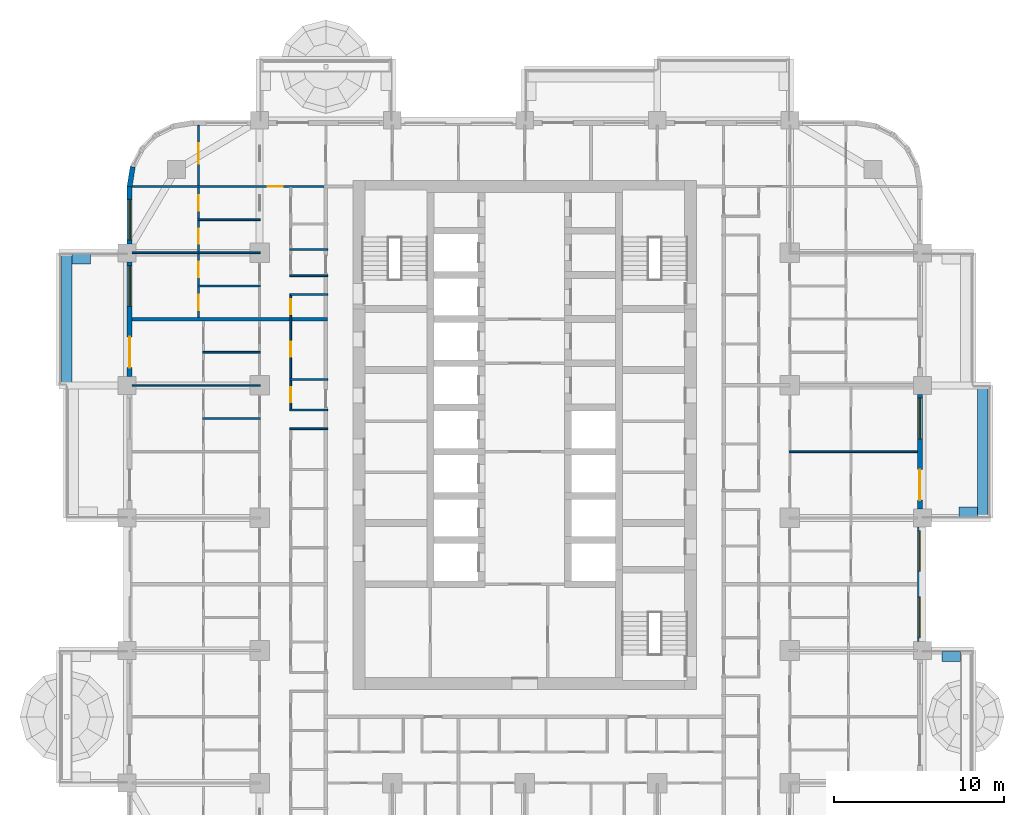
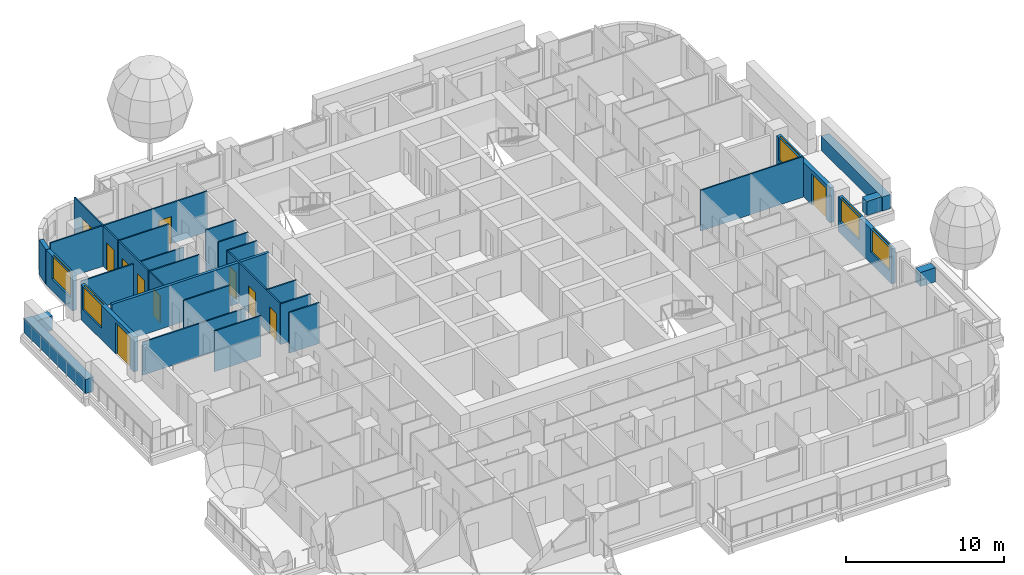
# One storey, part 10 of 19: 27 walls, 11 doors, 5 windows, 16 openings.
"""IFC4 building model written with IfcOpenShell, lengths in metres."""

from ifc_helpers import new_model, si_unit, direction, frame, frame_2d, origin, place, context, subcontext, project, spatial, rectangle, extrude, material, layer, layer_set, type_object, element, fill, save


model = new_model("IFC4")

# Units and contexts
model_context = context("Model", 3, precision=1e-05, world=origin(), true_north=direction((0.0, 1.0)))
body_context = subcontext(model_context, "Body", "Model", "MODEL_VIEW")
ifc_project = project(units=[si_unit("LENGTHUNIT", "METRE"), si_unit("AREAUNIT", "SQUARE_METRE"), si_unit("VOLUMEUNIT", "CUBIC_METRE"), si_unit("PLANEANGLEUNIT", "RADIAN"), si_unit("MASSUNIT", "GRAM", prefix="KILO")], contexts=[model_context])

# Site, building, storey
site_placement = place(None, origin())
site = spatial("IfcSite", under=ifc_project, at=site_placement, CompositionType="ELEMENT")
building_placement = place(site_placement, origin())
building = spatial("IfcBuilding", under=site, at=building_placement, Name="Ludao Terraces", CompositionType="ELEMENT")
storey_placement = place(building_placement, frame((0.0, 0.0, 36.5)))
storey = spatial("IfcBuildingStorey", under=building, at=storey_placement, Name="L09", CompositionType="ELEMENT", Elevation=36.5)

# Walls
ifc_material_1 = material(Name="Concrete C40", Category="concrete")
ifc_layer_1 = layer(ifc_material_1, 0.60009765625)
ifc_layer_set_1 = layer_set([ifc_layer_1], Name="ENV Planter trough 600")
wall_type_1 = type_object("IfcWallType", Name="ENV Planter trough 600", PredefinedType="USERDEFINED", material=ifc_layer_set_1)
wall_1_placement = place(storey_placement, frame((110.64990234375, 56.85009765625, 0.0), z_axis=(0.0, 0.0, 1.0), x_axis=(-1.0, 0.0, 0.0)))
element("IfcWall", 1, at=wall_1_placement, inside=storey, type_object=wall_type_1, Name="PL-L09-E1-SB", ObjectType="PLANTER", PredefinedType="USERDEFINED", context=body_context, shape_type="SweptSolid", body=[
    extrude(rectangle(XDim=1.099853515625, YDim=0.60009765625, at=frame_2d((0.5498046875, 0.0))), origin(), (0.0, 0.0, 1.0), 1.10009765625),
])
wall_2_placement = place(storey_placement, frame((111.949951171875, 65.0, 0.0), z_axis=(0.0, 0.0, 1.0), x_axis=(0.0, 1.0, 0.0)))
element("IfcWall", 2, at=wall_2_placement, inside=storey, type_object=wall_type_1, Name="PL-L09-E3", ObjectType="PLANTER", PredefinedType="USERDEFINED", context=body_context, shape_type="SweptSolid", body=[
    extrude(rectangle(XDim=7.800048828125, YDim=0.60009765625, at=frame_2d((3.89990234375, 0.0))), origin(), (0.0, 0.0, 1.0), 1.10009765625),
])
wall_3_placement = place(storey_placement, frame((111.64990234375, 65.35009765625, 0.0), z_axis=(0.0, 0.0, 1.0), x_axis=(-1.0, 0.0, 0.0)))
element("IfcWall", 3, at=wall_3_placement, inside=storey, type_object=wall_type_1, Name="PL-L09-E3-SA", ObjectType="PLANTER", PredefinedType="USERDEFINED", context=body_context, shape_type="SweptSolid", body=[
    extrude(rectangle(XDim=1.099853515625, YDim=0.60009765625, at=frame_2d((0.5498046875, 0.0))), origin(), (0.0, 0.0, 1.0), 1.10009765625),
])
wall_4_placement = place(storey_placement, frame((58.050048828125, 72.800048828125, 0.0), z_axis=(0.0, 0.0, 1.0), x_axis=(0.0, 1.0, 0.0)))
element("IfcWall", 4, at=wall_4_placement, inside=storey, type_object=wall_type_1, Name="PL-L09-W4", ObjectType="PLANTER", PredefinedType="USERDEFINED", context=body_context, shape_type="SweptSolid", body=[
    extrude(rectangle(XDim=7.800048828125, YDim=0.60009765625, at=frame_2d((3.89990234375, 0.0))), origin(), (0.0, 0.0, 1.0), 1.10009765625),
])
wall_5_placement = place(storey_placement, frame((58.35009765625, 80.25, 0.0), z_axis=(0.0, 0.0, 1.0), x_axis=(1.0, 0.0, 0.0)))
element("IfcWall", 5, at=wall_5_placement, inside=storey, type_object=wall_type_1, Name="PL-L09-W4-SB", ObjectType="PLANTER", PredefinedType="USERDEFINED", context=body_context, shape_type="SweptSolid", body=[
    extrude(rectangle(XDim=1.099853515625, YDim=0.60009765625, at=frame_2d((0.5498046875, 0.0))), origin(), (0.0, 0.0, 1.0), 1.10009765625),
])

# Wall, openings, windows
ifc_material_2 = material(Name="Granite cladding", Category="masonry")
ifc_layer_2 = layer(ifc_material_2, 0.0400390625, Category="stone")
ifc_material_3 = material(Name="Mineral wool")
ifc_layer_3 = layer(ifc_material_3, 0.06005859375)
ifc_layer_4 = layer(ifc_material_1, 0.199951171875, Category="concrete")
ifc_layer_set_2 = layer_set([ifc_layer_2, ifc_layer_3, ifc_layer_4], Name="ENV Stone-clad wall 300")
wall_type_2 = type_object("IfcWallType", Name="ENV Stone-clad wall 300", PredefinedType="SOLIDWALL", material=ifc_layer_set_2)
wall_6_placement = place(storey_placement, frame((108.25, 57.72509765625, 0.0), z_axis=(0.0, 0.0, 1.0), x_axis=(0.0, 1.0, 0.0)))
wall_6 = element("IfcWall", 6, at=wall_6_placement, inside=storey, type_object=wall_type_2, Name="EW-L09-E3", PredefinedType="SOLIDWALL", context=body_context, shape_type="SweptSolid", body=[
    extrude(rectangle(XDim=6.75, YDim=0.300048828125, at=frame_2d((3.375, 0.0))), origin(), (0.0, 0.0, 1.0), 2.699951171875),
])
opening_1_placement = place(wall_6_placement, frame((0.22509765625, 0.0, 0.89990234375)))
opening_1 = element("IfcOpeningElement", 7, at=opening_1_placement, cuts=wall_6, Name="Opening W1", PredefinedType="OPENING", context=body_context, shape_type="SweptSolid", body=[
    extrude(rectangle(XDim=2.39990234375, YDim=1.800048828125, at=frame_2d((1.199951171875, 0.89990234375))), frame((0.0, 0.16015625, 0.0), z_axis=(0.0, -1.0, 0.0), x_axis=(1.0, 0.0, 0.0)), (0.0, 0.0, 1.0), 0.320068359375),
])
opening_2_placement = place(wall_6_placement, frame((4.125, 0.0, 0.89990234375)))
opening_2 = element("IfcOpeningElement", 8, at=opening_2_placement, cuts=wall_6, Name="Opening W1", PredefinedType="OPENING", context=body_context, shape_type="SweptSolid", body=[
    extrude(rectangle(XDim=2.39990234375, YDim=1.800048828125, at=frame_2d((1.199951171875, 0.89990234375))), frame((0.0, 0.16015625, 0.0), z_axis=(0.0, -1.0, 0.0), x_axis=(1.0, 0.0, 0.0)), (0.0, 0.0, 1.0), 0.320068359375),
])
ifc_material_4 = material(Name="Clear glass in aluminium frame", Category="aluminium")
ifc_layer_5 = layer(ifc_material_4, 0.06005859375)
ifc_layer_set_3 = layer_set([ifc_layer_5], Name="ENV Window W1 2400x1800")
window_type = type_object("IfcWindowType", Name="ENV Window W1 2400x1800", PartitioningType="DOUBLE_PANEL_VERTICAL", PredefinedType="WINDOW", material=ifc_layer_set_3)
window_1_placement = place(opening_1_placement, origin())
window_1 = element("IfcWindow", 9, at=window_1_placement, inside=storey, type_object=window_type, Name="W-L09-E3-1", OverallHeight=1.800048828125, OverallWidth=2.39990234375, PartitioningType="DOUBLE_PANEL_VERTICAL", PredefinedType="WINDOW", context=body_context, shape_type="SweptSolid", body=[
    extrude(rectangle(XDim=2.39990234375, YDim=1.800048828125, at=frame_2d((1.199951171875, 0.89990234375))), frame((0.0, 0.030029296875, 0.0), z_axis=(0.0, -1.0, 0.0), x_axis=(1.0, 0.0, 0.0)), (0.0, 0.0, 1.0), 0.06005859375),
])
fill(opening_1, window_1)
window_2_placement = place(opening_2_placement, origin())
window_2 = element("IfcWindow", 10, at=window_2_placement, inside=storey, type_object=window_type, Name="W-L09-E3-2", OverallHeight=1.800048828125, OverallWidth=2.39990234375, PartitioningType="DOUBLE_PANEL_VERTICAL", PredefinedType="WINDOW", context=body_context, shape_type="SweptSolid", body=[
    extrude(rectangle(XDim=2.39990234375, YDim=1.800048828125, at=frame_2d((1.199951171875, 0.89990234375))), frame((0.0, 0.030029296875, 0.0), z_axis=(0.0, -1.0, 0.0), x_axis=(1.0, 0.0, 0.0)), (0.0, 0.0, 1.0), 0.06005859375),
])
fill(opening_2, window_2)

# Wall, openings, door, window
wall_7_placement = place(storey_placement, frame((108.25, 65.52490234375, 0.0), z_axis=(0.0, 0.0, 1.0), x_axis=(0.0, 1.0, 0.0)))
wall_7 = element("IfcWall", 11, at=wall_7_placement, inside=storey, type_object=wall_type_2, Name="EW-L09-E4", PredefinedType="SOLIDWALL", context=body_context, shape_type="SweptSolid", body=[
    extrude(rectangle(XDim=6.75, YDim=0.300048828125, at=frame_2d((3.375, 0.0))), origin(), (0.0, 0.0, 1.0), 2.699951171875),
])
opening_3_placement = place(wall_7_placement, frame((0.52490234375, 0.0, 0.0)))
opening_3 = element("IfcOpeningElement", 12, at=opening_3_placement, cuts=wall_7, Name="Opening BD", PredefinedType="OPENING", context=body_context, shape_type="SweptSolid", body=[
    extrude(rectangle(XDim=1.800048828125, YDim=2.39990234375, at=frame_2d((0.89990234375, 1.199951171875))), frame((0.0, 0.16015625, 0.0), z_axis=(0.0, -1.0, 0.0), x_axis=(1.0, 0.0, 0.0)), (0.0, 0.0, 1.0), 0.320068359375),
])
opening_4_placement = place(wall_7_placement, frame((4.125, 0.0, 0.89990234375)))
opening_4 = element("IfcOpeningElement", 13, at=opening_4_placement, cuts=wall_7, Name="Opening W1", PredefinedType="OPENING", context=body_context, shape_type="SweptSolid", body=[
    extrude(rectangle(XDim=2.39990234375, YDim=1.800048828125, at=frame_2d((1.199951171875, 0.89990234375))), frame((0.0, 0.16015625, 0.0), z_axis=(0.0, -1.0, 0.0), x_axis=(1.0, 0.0, 0.0)), (0.0, 0.0, 1.0), 0.320068359375),
])
ifc_material_5 = material(Name="Aluminium glazed door", Category="aluminium")
ifc_layer_6 = layer(ifc_material_5, 0.06005859375)
ifc_layer_set_4 = layer_set([ifc_layer_6], Name="ENV Balcony door BD 1800x2400")
door_type_1 = type_object("IfcDoorType", Name="ENV Balcony door BD 1800x2400", OperationType="DOUBLE_DOOR_SINGLE_SWING", PredefinedType="DOOR", material=ifc_layer_set_4)
door_1_placement = place(opening_3_placement, origin())
door_1 = element("IfcDoor", 14, at=door_1_placement, inside=storey, type_object=door_type_1, Name="BD-L09-E4-1", OperationType="DOUBLE_DOOR_SINGLE_SWING", OverallHeight=2.39990234375, OverallWidth=1.800048828125, PredefinedType="DOOR", context=body_context, shape_type="SweptSolid", body=[
    extrude(rectangle(XDim=1.800048828125, YDim=2.39990234375, at=frame_2d((0.89990234375, 1.199951171875))), frame((0.0, 0.02490234375, 0.0), z_axis=(0.0, -1.0, 0.0), x_axis=(1.0, 0.0, 0.0)), (0.0, 0.0, 1.0), 0.050048828125),
])
fill(opening_3, door_1)
window_3_placement = place(opening_4_placement, origin())
window_3 = element("IfcWindow", 15, at=window_3_placement, inside=storey, type_object=window_type, Name="W-L09-E4-2", OverallHeight=1.800048828125, OverallWidth=2.39990234375, PartitioningType="DOUBLE_PANEL_VERTICAL", PredefinedType="WINDOW", context=body_context, shape_type="SweptSolid", body=[
    extrude(rectangle(XDim=2.39990234375, YDim=1.800048828125, at=frame_2d((1.199951171875, 0.89990234375))), frame((0.0, 0.030029296875, 0.0), z_axis=(0.0, -1.0, 0.0), x_axis=(1.0, 0.0, 0.0)), (0.0, 0.0, 1.0), 0.06005859375),
])
fill(opening_4, window_3)

wall_8_placement = place(storey_placement, frame((61.75, 73.324951171875, 0.0), z_axis=(0.0, 0.0, 1.0), x_axis=(0.0, 1.0, 0.0)))
wall_8 = element("IfcWall", 16, at=wall_8_placement, inside=storey, type_object=wall_type_2, Name="EW-L09-W5", PredefinedType="SOLIDWALL", context=body_context, shape_type="SweptSolid", body=[
    extrude(rectangle(XDim=6.75, YDim=0.300048828125, at=frame_2d((3.375, 0.0))), origin(), (0.0, 0.0, 1.0), 2.699951171875),
])
opening_5_placement = place(wall_8_placement, frame((0.52490234375, 0.0, 0.0)))
opening_5 = element("IfcOpeningElement", 17, at=opening_5_placement, cuts=wall_8, Name="Opening BD", PredefinedType="OPENING", context=body_context, shape_type="SweptSolid", body=[
    extrude(rectangle(XDim=1.800048828125, YDim=2.39990234375, at=frame_2d((0.89990234375, 1.199951171875))), frame((0.0, 0.16015625, 0.0), z_axis=(0.0, -1.0, 0.0), x_axis=(1.0, 0.0, 0.0)), (0.0, 0.0, 1.0), 0.320068359375),
])
opening_6_placement = place(wall_8_placement, frame((4.125, 0.0, 0.89990234375)))
opening_6 = element("IfcOpeningElement", 18, at=opening_6_placement, cuts=wall_8, Name="Opening W1", PredefinedType="OPENING", context=body_context, shape_type="SweptSolid", body=[
    extrude(rectangle(XDim=2.39990234375, YDim=1.800048828125, at=frame_2d((1.199951171875, 0.89990234375))), frame((0.0, 0.16015625, 0.0), z_axis=(0.0, -1.0, 0.0), x_axis=(1.0, 0.0, 0.0)), (0.0, 0.0, 1.0), 0.320068359375),
])
door_2_placement = place(opening_5_placement, origin())
door_2 = element("IfcDoor", 19, at=door_2_placement, inside=storey, type_object=door_type_1, Name="BD-L09-W5-1", OperationType="DOUBLE_DOOR_SINGLE_SWING", OverallHeight=2.39990234375, OverallWidth=1.800048828125, PredefinedType="DOOR", context=body_context, shape_type="SweptSolid", body=[
    extrude(rectangle(XDim=1.800048828125, YDim=2.39990234375, at=frame_2d((0.89990234375, 1.199951171875))), frame((0.0, 0.02490234375, 0.0), z_axis=(0.0, -1.0, 0.0), x_axis=(1.0, 0.0, 0.0)), (0.0, 0.0, 1.0), 0.050048828125),
])
fill(opening_5, door_2)
window_4_placement = place(opening_6_placement, origin())
window_4 = element("IfcWindow", 20, at=window_4_placement, inside=storey, type_object=window_type, Name="W-L09-W5-2", OverallHeight=1.800048828125, OverallWidth=2.39990234375, PartitioningType="DOUBLE_PANEL_VERTICAL", PredefinedType="WINDOW", context=body_context, shape_type="SweptSolid", body=[
    extrude(rectangle(XDim=2.39990234375, YDim=1.800048828125, at=frame_2d((1.199951171875, 0.89990234375))), frame((0.0, 0.030029296875, 0.0), z_axis=(0.0, -1.0, 0.0), x_axis=(1.0, 0.0, 0.0)), (0.0, 0.0, 1.0), 0.06005859375),
])
fill(opening_6, window_4)

# Wall, opening, window
wall_9_placement = place(storey_placement, frame((61.75, 81.125, 0.0), z_axis=(0.0, 0.0, 1.0), x_axis=(0.0, 1.0, 0.0)))
wall_9 = element("IfcWall", 21, at=wall_9_placement, inside=storey, type_object=wall_type_2, Name="EW-L09-W6", PredefinedType="SOLIDWALL", context=body_context, shape_type="SweptSolid", body=[
    extrude(rectangle(XDim=3.375, YDim=0.300048828125, at=frame_2d((1.6875, 0.0))), origin(), (0.0, 0.0, 1.0), 2.699951171875),
])
opening_7_placement = place(wall_9_placement, frame((0.22509765625, 0.0, 0.89990234375)))
opening_7 = element("IfcOpeningElement", 22, at=opening_7_placement, cuts=wall_9, Name="Opening W1", PredefinedType="OPENING", context=body_context, shape_type="SweptSolid", body=[
    extrude(rectangle(XDim=2.39990234375, YDim=1.800048828125, at=frame_2d((1.199951171875, 0.89990234375))), frame((0.0, 0.16015625, 0.0), z_axis=(0.0, -1.0, 0.0), x_axis=(1.0, 0.0, 0.0)), (0.0, 0.0, 1.0), 0.320068359375),
])
window_5_placement = place(opening_7_placement, origin())
window_5 = element("IfcWindow", 23, at=window_5_placement, inside=storey, type_object=window_type, Name="W-L09-W6-1", OverallHeight=1.800048828125, OverallWidth=2.39990234375, PartitioningType="DOUBLE_PANEL_VERTICAL", PredefinedType="WINDOW", context=body_context, shape_type="SweptSolid", body=[
    extrude(rectangle(XDim=2.39990234375, YDim=1.800048828125, at=frame_2d((1.199951171875, 0.89990234375))), frame((0.0, 0.030029296875, 0.0), z_axis=(0.0, -1.0, 0.0), x_axis=(1.0, 0.0, 0.0)), (0.0, 0.0, 1.0), 0.06005859375),
])
fill(opening_7, window_5)

# Walls
wall_10_placement = place(storey_placement, frame((61.93359375, 85.65869140625, 0.0), z_axis=(0.0, 0.0, 1.0), x_axis=(-0.156496880861, -0.987678452879, 0.0)))
element("IfcWall", 24, at=wall_10_placement, inside=storey, type_object=wall_type_2, Name="EW-L09-NW5", PredefinedType="SOLIDWALL", context=body_context, shape_type="SweptSolid", body=[
    extrude(rectangle(XDim=1.173095703125, YDim=0.300048828125, at=frame_2d((0.58642578125, 0.0))), origin(), (0.0, 0.0, 1.0), 2.699951171875),
])
ifc_material_6 = material(Name="Gypsum plasterboard", Category="gypsum")
ifc_layer_7 = layer(ifc_material_6, 0.012451171875, Category="gypsum")
ifc_layer_8 = layer(ifc_material_3, 0.06005859375, Name="insulation")
ifc_material_7 = material(Name="Steel Q235", Category="steel")
ifc_layer_9 = layer(ifc_material_7, 0.014892578125, Name="stud")
ifc_layer_10 = layer(ifc_material_6, 0.012451171875, Category="gypsum")
ifc_layer_set_5 = layer_set([ifc_layer_7, ifc_layer_8, ifc_layer_9, ifc_layer_10], Name="INT Partition 100")
wall_type_3 = type_object("IfcWallType", Name="INT Partition 100", PredefinedType="PARTITIONING", material=ifc_layer_set_5)
wall_11_placement = place(storey_placement, frame((100.550048828125, 68.89990234375, 0.0), z_axis=(0.0, 0.0, 1.0), x_axis=(1.0, 0.0, 0.0)))
element("IfcWall", 25, at=wall_11_placement, inside=storey, type_object=wall_type_3, Name="PW-L09-PW048", PredefinedType="PARTITIONING", context=body_context, shape_type="SweptSolid", body=[
    extrude(rectangle(XDim=7.550048828125, YDim=0.10009765625, at=frame_2d((3.77490234375, 0.0))), origin(), (0.0, 0.0, 1.0), 3.14990234375),
])
wall_12_placement = place(storey_placement, frame((71.18017578125, 70.25, 0.0), z_axis=(0.0, 0.0, 1.0), x_axis=(1.0, 0.0, 0.0)))
element("IfcWall", 26, at=wall_12_placement, inside=storey, type_object=wall_type_3, Name="PW-L09-PW050", PredefinedType="PARTITIONING", context=body_context, shape_type="SweptSolid", body=[
    extrude(rectangle(XDim=2.219970703125, YDim=0.10009765625, at=frame_2d((1.10986328125, 0.0))), origin(), (0.0, 0.0, 1.0), 3.14990234375),
])
wall_13_placement = place(storey_placement, frame((66.050048828125, 70.85009765625, 0.0), z_axis=(0.0, 0.0, 1.0), x_axis=(1.0, 0.0, 0.0)))
element("IfcWall", 27, at=wall_13_placement, inside=storey, type_object=wall_type_3, Name="PW-L09-PW053", PredefinedType="PARTITIONING", context=body_context, shape_type="SweptSolid", body=[
    extrude(rectangle(XDim=3.400146484375, YDim=0.10009765625, at=frame_2d((1.7001953125, 0.0))), origin(), (0.0, 0.0, 1.0), 3.14990234375),
])
wall_14_placement = place(storey_placement, frame((71.18017578125, 71.35009765625, 0.0), z_axis=(0.0, 0.0, 1.0), x_axis=(1.0, 0.0, 0.0)))
element("IfcWall", 28, at=wall_14_placement, inside=storey, type_object=wall_type_3, Name="PW-L09-PW054", PredefinedType="PARTITIONING", context=body_context, shape_type="SweptSolid", body=[
    extrude(rectangle(XDim=2.219970703125, YDim=0.10009765625, at=frame_2d((1.10986328125, 0.0))), origin(), (0.0, 0.0, 1.0), 3.14990234375),
])
wall_15_placement = place(storey_placement, frame((61.900146484375, 72.800048828125, 0.0), z_axis=(0.0, 0.0, 1.0), x_axis=(1.0, 0.0, 0.0)))
element("IfcWall", 29, at=wall_15_placement, inside=storey, type_object=wall_type_3, Name="PW-L09-PW055", PredefinedType="PARTITIONING", context=body_context, shape_type="SweptSolid", body=[
    extrude(rectangle(XDim=7.550048828125, YDim=0.10009765625, at=frame_2d((3.77490234375, 0.0))), origin(), (0.0, 0.0, 1.0), 2.550048828125),
])
wall_16_placement = place(storey_placement, frame((71.18017578125, 73.14990234375, 0.0), z_axis=(0.0, 0.0, 1.0), x_axis=(1.0, 0.0, 0.0)))
element("IfcWall", 30, at=wall_16_placement, inside=storey, type_object=wall_type_3, Name="PW-L09-PW057", PredefinedType="PARTITIONING", context=body_context, shape_type="SweptSolid", body=[
    extrude(rectangle(XDim=2.219970703125, YDim=0.10009765625, at=frame_2d((1.10986328125, 0.0))), origin(), (0.0, 0.0, 1.0), 3.14990234375),
])
wall_17_placement = place(storey_placement, frame((66.050048828125, 74.75, 0.0), z_axis=(0.0, 0.0, 1.0), x_axis=(1.0, 0.0, 0.0)))
element("IfcWall", 31, at=wall_17_placement, inside=storey, type_object=wall_type_3, Name="PW-L09-PW059", PredefinedType="PARTITIONING", context=body_context, shape_type="SweptSolid", body=[
    extrude(rectangle(XDim=3.400146484375, YDim=0.10009765625, at=frame_2d((1.7001953125, 0.0))), origin(), (0.0, 0.0, 1.0), 3.14990234375),
])
wall_18_placement = place(storey_placement, frame((71.18017578125, 78.14990234375, 0.0), z_axis=(0.0, 0.0, 1.0), x_axis=(1.0, 0.0, 0.0)))
element("IfcWall", 32, at=wall_18_placement, inside=storey, type_object=wall_type_3, Name="PW-L09-PW066", PredefinedType="PARTITIONING", context=body_context, shape_type="SweptSolid", body=[
    extrude(rectangle(XDim=2.219970703125, YDim=0.10009765625, at=frame_2d((1.10986328125, 0.0))), origin(), (0.0, 0.0, 1.0), 3.14990234375),
])
wall_19_placement = place(storey_placement, frame((65.75, 78.64990234375, 0.0), z_axis=(0.0, 0.0, 1.0), x_axis=(1.0, 0.0, 0.0)))
element("IfcWall", 33, at=wall_19_placement, inside=storey, type_object=wall_type_3, Name="PW-L09-PW067", PredefinedType="PARTITIONING", context=body_context, shape_type="SweptSolid", body=[
    extrude(rectangle(XDim=3.7001953125, YDim=0.10009765625, at=frame_2d((1.85009765625, 0.0))), origin(), (0.0, 0.0, 1.0), 3.14990234375),
])
wall_20_placement = place(storey_placement, frame((71.18017578125, 79.25, 0.0), z_axis=(0.0, 0.0, 1.0), x_axis=(1.0, 0.0, 0.0)))
element("IfcWall", 34, at=wall_20_placement, inside=storey, type_object=wall_type_3, Name="PW-L09-PW069", PredefinedType="PARTITIONING", context=body_context, shape_type="SweptSolid", body=[
    extrude(rectangle(XDim=2.219970703125, YDim=0.10009765625, at=frame_2d((1.10986328125, 0.0))), origin(), (0.0, 0.0, 1.0), 3.14990234375),
])
wall_21_placement = place(storey_placement, frame((61.900146484375, 80.60009765625, 0.0), z_axis=(0.0, 0.0, 1.0), x_axis=(1.0, 0.0, 0.0)))
element("IfcWall", 35, at=wall_21_placement, inside=storey, type_object=wall_type_3, Name="PW-L09-PW070", PredefinedType="PARTITIONING", context=body_context, shape_type="SweptSolid", body=[
    extrude(rectangle(XDim=7.550048828125, YDim=0.10009765625, at=frame_2d((3.77490234375, 0.0))), origin(), (0.0, 0.0, 1.0), 2.550048828125),
])
wall_22_placement = place(storey_placement, frame((71.18017578125, 80.800048828125, 0.0), z_axis=(0.0, 0.0, 1.0), x_axis=(1.0, 0.0, 0.0)))
element("IfcWall", 36, at=wall_22_placement, inside=storey, type_object=wall_type_3, Name="PW-L09-PW072", PredefinedType="PARTITIONING", context=body_context, shape_type="SweptSolid", body=[
    extrude(rectangle(XDim=2.219970703125, YDim=0.10009765625, at=frame_2d((1.10986328125, 0.0))), origin(), (0.0, 0.0, 1.0), 3.14990234375),
])
wall_23_placement = place(storey_placement, frame((65.75, 82.550048828125, 0.0), z_axis=(0.0, 0.0, 1.0), x_axis=(1.0, 0.0, 0.0)))
element("IfcWall", 37, at=wall_23_placement, inside=storey, type_object=wall_type_3, Name="PW-L09-PW075", PredefinedType="PARTITIONING", context=body_context, shape_type="SweptSolid", body=[
    extrude(rectangle(XDim=3.7001953125, YDim=0.10009765625, at=frame_2d((1.85009765625, 0.0))), origin(), (0.0, 0.0, 1.0), 3.14990234375),
])

# Wall, opening, door
wall_24_placement = place(storey_placement, frame((61.900146484375, 84.5, 0.0), z_axis=(0.0, 0.0, 1.0), x_axis=(1.0, 0.0, 0.0)))
wall_24 = element("IfcWall", 38, at=wall_24_placement, inside=storey, type_object=wall_type_3, Name="PW-L09-PW077", PredefinedType="PARTITIONING", context=body_context, shape_type="SweptSolid", body=[
    extrude(rectangle(XDim=11.5, YDim=0.10009765625, at=frame_2d((5.75, 0.0))), origin(), (0.0, 0.0, 1.0), 3.14990234375),
])
opening_8_placement = place(wall_24_placement, frame((7.965087890625, 0.0, 0.0)))
opening_8 = element("IfcOpeningElement", 39, at=opening_8_placement, cuts=wall_24, Name="Opening R02-155", PredefinedType="OPENING", context=body_context, shape_type="SweptSolid", body=[
    extrude(rectangle(XDim=0.89990234375, YDim=2.10009765625, at=frame_2d((0.449951171875, 1.050048828125))), frame((0.0, 0.06005859375, 0.0), z_axis=(0.0, -1.0, 0.0), x_axis=(1.0, 0.0, 0.0)), (0.0, 0.0, 1.0), 0.1201171875),
])
ifc_material_8 = material(Name="Timber door leaf", Category="wood")
door_type_2 = type_object("IfcDoorType", Name="INT Room door 900", OperationType="SINGLE_SWING_LEFT", PredefinedType="DOOR", material=ifc_material_8)
door_3_placement = place(opening_8_placement, origin())
door_3 = element("IfcDoor", 40, at=door_3_placement, inside=storey, type_object=door_type_2, Name="DOOR 155", OperationType="SINGLE_SWING_RIGHT", OverallHeight=2.10009765625, OverallWidth=0.89990234375, PredefinedType="DOOR", context=body_context, shape_type="SweptSolid", body=[
    extrude(rectangle(XDim=0.89990234375, YDim=2.10009765625, at=frame_2d((0.449951171875, 1.050048828125))), frame((0.0, 0.02490234375, 0.0), z_axis=(0.0, -1.0, 0.0), x_axis=(1.0, 0.0, 0.0)), (0.0, 0.0, 1.0), 0.050048828125),
])
fill(opening_8, door_3)

# Wall, openings, doors
wall_25_placement = place(storey_placement, frame((65.800048828125, 76.800048828125, 0.0), z_axis=(0.0, 0.0, 1.0), x_axis=(0.0, 1.0, 0.0)))
wall_25 = element("IfcWall", 41, at=wall_25_placement, inside=storey, type_object=wall_type_3, Name="PW-L09-PW081", PredefinedType="PARTITIONING", context=body_context, shape_type="SweptSolid", body=[
    extrude(rectangle(XDim=11.300048828125, YDim=0.10009765625, at=frame_2d((5.64990234375, 0.0))), origin(), (0.0, 0.0, 1.0), 3.14990234375),
])
opening_9_placement = place(wall_25_placement, frame((0.425048828125, 0.0, 0.0)))
opening_9 = element("IfcOpeningElement", 42, at=opening_9_placement, cuts=wall_25, Name="Opening R02-129", PredefinedType="OPENING", context=body_context, shape_type="SweptSolid", body=[
    extrude(rectangle(XDim=0.89990234375, YDim=2.10009765625, at=frame_2d((0.449951171875, 1.050048828125))), frame((0.0, 0.06005859375, 0.0), z_axis=(0.0, -1.0, 0.0), x_axis=(1.0, 0.0, 0.0)), (0.0, 0.0, 1.0), 0.1201171875),
])
opening_10_placement = place(wall_25_placement, frame((2.375, 0.0, 0.0)))
opening_10 = element("IfcOpeningElement", 43, at=opening_10_placement, cuts=wall_25, Name="Opening R02-137", PredefinedType="OPENING", context=body_context, shape_type="SweptSolid", body=[
    extrude(rectangle(XDim=0.89990234375, YDim=2.10009765625, at=frame_2d((0.449951171875, 1.050048828125))), frame((0.0, 0.06005859375, 0.0), z_axis=(0.0, -1.0, 0.0), x_axis=(1.0, 0.0, 0.0)), (0.0, 0.0, 1.0), 0.1201171875),
])
opening_11_placement = place(wall_25_placement, frame((4.324951171875, 0.0, 0.0)))
opening_11 = element("IfcOpeningElement", 44, at=opening_11_placement, cuts=wall_25, Name="Opening R02-145", PredefinedType="OPENING", context=body_context, shape_type="SweptSolid", body=[
    extrude(rectangle(XDim=0.89990234375, YDim=2.10009765625, at=frame_2d((0.449951171875, 1.050048828125))), frame((0.0, 0.06005859375, 0.0), z_axis=(0.0, -1.0, 0.0), x_axis=(1.0, 0.0, 0.0)), (0.0, 0.0, 1.0), 0.1201171875),
])
opening_12_placement = place(wall_25_placement, frame((6.27490234375, 0.0, 0.0)))
opening_12 = element("IfcOpeningElement", 45, at=opening_12_placement, cuts=wall_25, Name="Opening R02-152", PredefinedType="OPENING", context=body_context, shape_type="SweptSolid", body=[
    extrude(rectangle(XDim=0.89990234375, YDim=2.10009765625, at=frame_2d((0.449951171875, 1.050048828125))), frame((0.0, 0.06005859375, 0.0), z_axis=(0.0, -1.0, 0.0), x_axis=(1.0, 0.0, 0.0)), (0.0, 0.0, 1.0), 0.1201171875),
])
opening_13_placement = place(wall_25_placement, frame((9.050048828125, 0.0, 0.0)))
opening_13 = element("IfcOpeningElement", 46, at=opening_13_placement, cuts=wall_25, Name="Opening R02-157", PredefinedType="OPENING", context=body_context, shape_type="SweptSolid", body=[
    extrude(rectangle(XDim=1.199951171875, YDim=2.10009765625, at=frame_2d((0.60009765625, 1.050048828125))), frame((0.0, 0.06005859375, 0.0), z_axis=(0.0, -1.0, 0.0), x_axis=(1.0, 0.0, 0.0)), (0.0, 0.0, 1.0), 0.1201171875),
])
door_type_3 = type_object("IfcDoorType", Name="INT Bathroom door 900", OperationType="SINGLE_SWING_LEFT", PredefinedType="DOOR", material=ifc_material_8)
door_4_placement = place(opening_9_placement, origin())
door_4 = element("IfcDoor", 47, at=door_4_placement, inside=storey, type_object=door_type_3, Name="DOOR 129", OperationType="SINGLE_SWING_RIGHT", OverallHeight=2.10009765625, OverallWidth=0.89990234375, PredefinedType="DOOR", context=body_context, shape_type="SweptSolid", body=[
    extrude(rectangle(XDim=0.89990234375, YDim=2.10009765625, at=frame_2d((0.449951171875, 1.050048828125))), frame((0.0, 0.02490234375, 0.0), z_axis=(0.0, -1.0, 0.0), x_axis=(1.0, 0.0, 0.0)), (0.0, 0.0, 1.0), 0.050048828125),
])
fill(opening_9, door_4)
door_5_placement = place(opening_11_placement, origin())
door_5 = element("IfcDoor", 48, at=door_5_placement, inside=storey, type_object=door_type_3, Name="DOOR 145", OperationType="SINGLE_SWING_RIGHT", OverallHeight=2.10009765625, OverallWidth=0.89990234375, PredefinedType="DOOR", context=body_context, shape_type="SweptSolid", body=[
    extrude(rectangle(XDim=0.89990234375, YDim=2.10009765625, at=frame_2d((0.449951171875, 1.050048828125))), frame((0.0, 0.02490234375, 0.0), z_axis=(0.0, -1.0, 0.0), x_axis=(1.0, 0.0, 0.0)), (0.0, 0.0, 1.0), 0.050048828125),
])
fill(opening_11, door_5)
door_type_4 = type_object("IfcDoorType", Name="INT Double door 1200", OperationType="DOUBLE_DOOR_SINGLE_SWING", PredefinedType="DOOR", material=ifc_material_8)
door_6_placement = place(opening_13_placement, origin())
door_6 = element("IfcDoor", 49, at=door_6_placement, inside=storey, type_object=door_type_4, Name="DOOR 157", OperationType="DOUBLE_DOOR_SINGLE_SWING", OverallHeight=2.10009765625, OverallWidth=1.199951171875, PredefinedType="DOOR", context=body_context, shape_type="SweptSolid", body=[
    extrude(rectangle(XDim=1.199951171875, YDim=2.10009765625, at=frame_2d((0.60009765625, 1.050048828125))), frame((0.0, 0.02490234375, 0.0), z_axis=(0.0, -1.0, 0.0), x_axis=(1.0, 0.0, 0.0)), (0.0, 0.0, 1.0), 0.050048828125),
])
fill(opening_13, door_6)
door_7_placement = place(opening_10_placement, origin())
door_7 = element("IfcDoor", 50, at=door_7_placement, inside=storey, type_object=door_type_2, Name="DOOR 137", OperationType="SINGLE_SWING_RIGHT", OverallHeight=2.10009765625, OverallWidth=0.89990234375, PredefinedType="DOOR", context=body_context, shape_type="SweptSolid", body=[
    extrude(rectangle(XDim=0.89990234375, YDim=2.10009765625, at=frame_2d((0.449951171875, 1.050048828125))), frame((0.0, 0.02490234375, 0.0), z_axis=(0.0, -1.0, 0.0), x_axis=(1.0, 0.0, 0.0)), (0.0, 0.0, 1.0), 0.050048828125),
])
fill(opening_10, door_7)
door_8_placement = place(opening_12_placement, origin())
door_8 = element("IfcDoor", 51, at=door_8_placement, inside=storey, type_object=door_type_2, Name="DOOR 152", OperationType="SINGLE_SWING_RIGHT", OverallHeight=2.10009765625, OverallWidth=0.89990234375, PredefinedType="DOOR", context=body_context, shape_type="SweptSolid", body=[
    extrude(rectangle(XDim=0.89990234375, YDim=2.10009765625, at=frame_2d((0.449951171875, 1.050048828125))), frame((0.0, 0.02490234375, 0.0), z_axis=(0.0, -1.0, 0.0), x_axis=(1.0, 0.0, 0.0)), (0.0, 0.0, 1.0), 0.050048828125),
])
fill(opening_12, door_8)

wall_26_placement = place(storey_placement, frame((71.22998046875, 71.400146484375, 0.0), z_axis=(0.0, 0.0, 1.0), x_axis=(0.0, 1.0, 0.0)))
wall_26 = element("IfcWall", 52, at=wall_26_placement, inside=storey, type_object=wall_type_3, Name="PW-L09-PW086", PredefinedType="PARTITIONING", context=body_context, shape_type="SweptSolid", body=[
    extrude(rectangle(XDim=6.699951171875, YDim=0.10009765625, at=frame_2d((3.35009765625, 0.0))), origin(), (0.0, 0.0, 1.0), 3.14990234375),
])
opening_14_placement = place(wall_26_placement, frame((0.39990234375, 0.0, 0.0)))
opening_14 = element("IfcOpeningElement", 53, at=opening_14_placement, cuts=wall_26, Name="Opening R02-110", PredefinedType="OPENING", context=body_context, shape_type="SweptSolid", body=[
    extrude(rectangle(XDim=0.89990234375, YDim=2.10009765625, at=frame_2d((0.449951171875, 1.050048828125))), frame((0.0, 0.06005859375, 0.0), z_axis=(0.0, -1.0, 0.0), x_axis=(1.0, 0.0, 0.0)), (0.0, 0.0, 1.0), 0.1201171875),
])
opening_15_placement = place(wall_26_placement, frame((3.074951171875, 0.0, 0.0)))
opening_15 = element("IfcOpeningElement", 54, at=opening_15_placement, cuts=wall_26, Name="Opening R02-117", PredefinedType="OPENING", context=body_context, shape_type="SweptSolid", body=[
    extrude(rectangle(XDim=0.89990234375, YDim=2.10009765625, at=frame_2d((0.449951171875, 1.050048828125))), frame((0.0, 0.06005859375, 0.0), z_axis=(0.0, -1.0, 0.0), x_axis=(1.0, 0.0, 0.0)), (0.0, 0.0, 1.0), 0.1201171875),
])
opening_16_placement = place(wall_26_placement, frame((5.574951171875, 0.0, 0.0)))
opening_16 = element("IfcOpeningElement", 55, at=opening_16_placement, cuts=wall_26, Name="Opening R02-128", PredefinedType="OPENING", context=body_context, shape_type="SweptSolid", body=[
    extrude(rectangle(XDim=0.89990234375, YDim=2.10009765625, at=frame_2d((0.449951171875, 1.050048828125))), frame((0.0, 0.06005859375, 0.0), z_axis=(0.0, -1.0, 0.0), x_axis=(1.0, 0.0, 0.0)), (0.0, 0.0, 1.0), 0.1201171875),
])
door_9_placement = place(opening_14_placement, origin())
door_9 = element("IfcDoor", 56, at=door_9_placement, inside=storey, type_object=door_type_3, Name="DOOR 110", OperationType="SINGLE_SWING_RIGHT", OverallHeight=2.10009765625, OverallWidth=0.89990234375, PredefinedType="DOOR", context=body_context, shape_type="SweptSolid", body=[
    extrude(rectangle(XDim=0.89990234375, YDim=2.10009765625, at=frame_2d((0.449951171875, 1.050048828125))), frame((0.0, 0.02490234375, 0.0), z_axis=(0.0, -1.0, 0.0), x_axis=(1.0, 0.0, 0.0)), (0.0, 0.0, 1.0), 0.050048828125),
])
fill(opening_14, door_9)
door_10_placement = place(opening_16_placement, origin())
door_10 = element("IfcDoor", 57, at=door_10_placement, inside=storey, type_object=door_type_3, Name="DOOR 128", OperationType="SINGLE_SWING_RIGHT", OverallHeight=2.10009765625, OverallWidth=0.89990234375, PredefinedType="DOOR", context=body_context, shape_type="SweptSolid", body=[
    extrude(rectangle(XDim=0.89990234375, YDim=2.10009765625, at=frame_2d((0.449951171875, 1.050048828125))), frame((0.0, 0.02490234375, 0.0), z_axis=(0.0, -1.0, 0.0), x_axis=(1.0, 0.0, 0.0)), (0.0, 0.0, 1.0), 0.050048828125),
])
fill(opening_16, door_10)
door_11_placement = place(opening_15_placement, origin())
door_11 = element("IfcDoor", 58, at=door_11_placement, inside=storey, type_object=door_type_2, Name="DOOR 117", OperationType="SINGLE_SWING_RIGHT", OverallHeight=2.10009765625, OverallWidth=0.89990234375, PredefinedType="DOOR", context=body_context, shape_type="SweptSolid", body=[
    extrude(rectangle(XDim=0.89990234375, YDim=2.10009765625, at=frame_2d((0.449951171875, 1.050048828125))), frame((0.0, 0.02490234375, 0.0), z_axis=(0.0, -1.0, 0.0), x_axis=(1.0, 0.0, 0.0)), (0.0, 0.0, 1.0), 0.050048828125),
])
fill(opening_15, door_11)

# Wall
ifc_material_9 = material(Name="Autoclaved aerated concrete block B06 A3.5", Category="concrete")
ifc_layer_11 = layer(ifc_material_9, 0.199951171875)
ifc_layer_set_6 = layer_set([ifc_layer_11], Name="INT Party wall 200")
wall_type_4 = type_object("IfcWallType", Name="INT Party wall 200", PredefinedType="PARTITIONING", material=ifc_layer_set_6)
wall_27_placement = place(storey_placement, frame((61.900146484375, 76.699951171875, 0.0), z_axis=(0.0, 0.0, 1.0), x_axis=(1.0, 0.0, 0.0)))
element("IfcWall", 59, at=wall_27_placement, inside=storey, type_object=wall_type_4, Name="PW-L09-PW062", PredefinedType="PARTITIONING", context=body_context, shape_type="SweptSolid", body=[
    extrude(rectangle(XDim=11.5, YDim=0.199951171875, at=frame_2d((5.75, 0.0))), origin(), (0.0, 0.0, 1.0), 3.14990234375),
])

save(model, "model.ifc")
